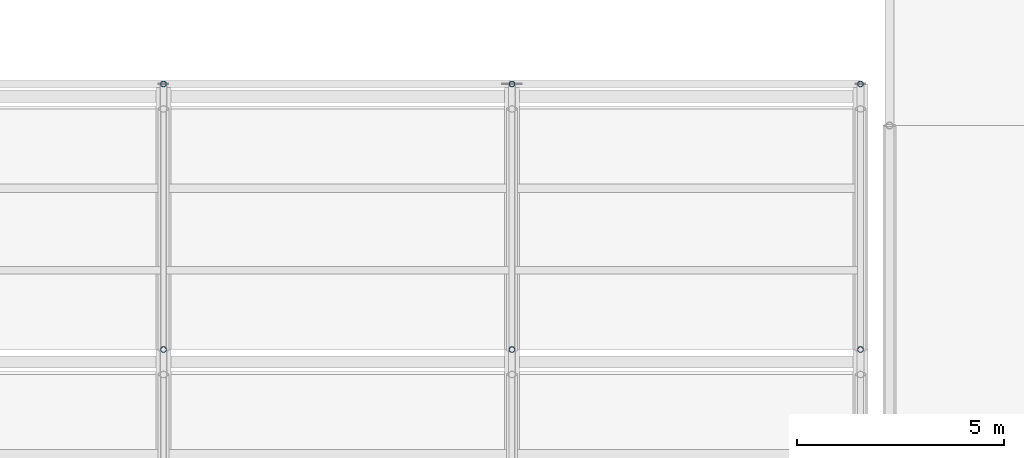
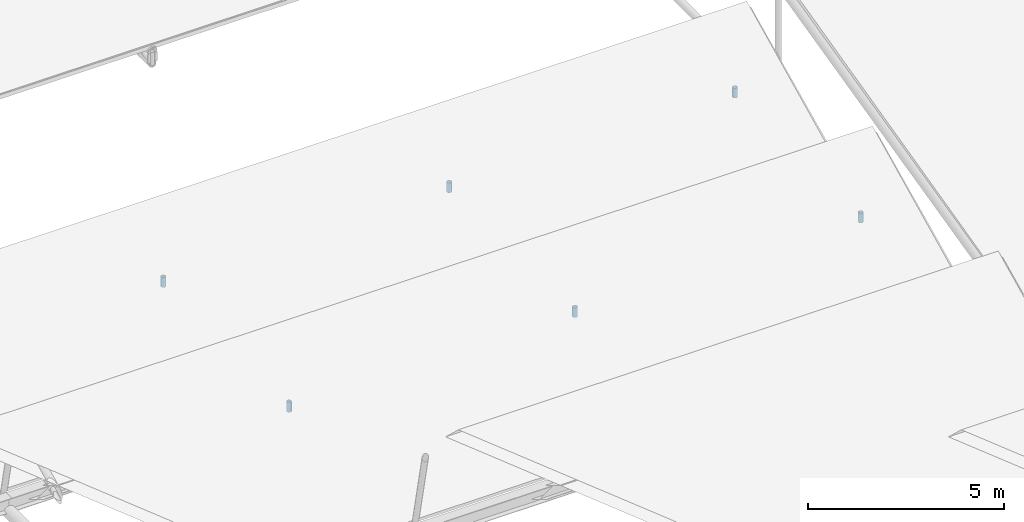
# One storey, part 139 of 194: 6 members.
"""IFC4 building model written with IfcOpenShell, lengths in metres."""

from ifc_helpers import new_model, si_unit, direction, frame, origin, origin_2d, place, context, subcontext, project, spatial, hollow_circle, extrude, material, material_profile, profile_set, type_object, element, save


model = new_model("IFC4")

# Units and contexts
model_context = context("Model", 3, precision=1e-05, world=origin(), true_north=direction((0.0, 1.0)))
body_context = subcontext(model_context, "Body", "Model", "MODEL_VIEW")
ifc_project = project(units=[si_unit("LENGTHUNIT", "METRE"), si_unit("AREAUNIT", "SQUARE_METRE"), si_unit("VOLUMEUNIT", "CUBIC_METRE"), si_unit("PLANEANGLEUNIT", "RADIAN"), si_unit("MASSUNIT", "GRAM", prefix="KILO")], contexts=[model_context])

# Site, building, storey
site_placement = place(None, origin())
site = spatial("IfcSite", under=ifc_project, at=site_placement, CompositionType="ELEMENT")
building_placement = place(site_placement, origin())
building = spatial("IfcBuilding", under=site, at=building_placement, Name="Kazenagashi Tramway Depot", CompositionType="ELEMENT")
storey_placement = place(building_placement, frame((0.0, 0.0, 23.7)))
storey = spatial("IfcBuildingStorey", under=building, at=storey_placement, Name="ROOF", CompositionType="ELEMENT", Elevation=23.7)

# Members
ifc_material = material(Name="Steel STK490", Category="steel")
ifc_material_profile = material_profile(ifc_material, hollow_circle(Radius=0.0699, WallThickness=0.0066, at=origin_2d()), Name="CHS-139.8x6.6")
ifc_profile_set = profile_set([ifc_material_profile], Name="Steel STK490")
member_type = type_object("IfcMemberType", Name="TS-02", PredefinedType="STRUT", material=ifc_profile_set)
for number, where, z_axis, x_axis, name in (
    (1, (128.8, 48.5, -8.9), (0.0, 0.0, 1.0), (1.0, 0.0, 0.0), "Roof Truss TS-02 MEM-1461"),
    (2, (128.8, 54.9, -8.9), (0.0, 0.0, 1.0), (1.0, 0.0, 0.0), "Roof Truss TS-02 MEM-1463"),
    (3, (137.2, 48.5, -8.9), (0.0, 0.0, 1.0), (1.0, 0.0, 0.0), "Roof Truss TS-02 MEM-1490"),
    (4, (137.2, 54.9, -8.9), (0.0, 0.0, 1.0), (1.0, 0.0, 0.0), "Roof Truss TS-02 MEM-1492"),
    (5, (145.6, 48.5, -8.9), (0.0, 0.0, 1.0), (1.0, 0.0, 0.0), "Roof Truss TS-02 MEM-1519"),
    (6, (145.6, 54.9, -8.9), (0.0, 0.0, 1.0), (1.0, 0.0, 0.0), "Roof Truss TS-02 MEM-1521"),
):
    element("IfcMember", number, at=place(storey_placement, frame(where, z_axis=z_axis, x_axis=x_axis)), inside=storey, type_object=member_type, Name=name, PredefinedType="STRUT", context=body_context, shape_type="SweptSolid", body=[
        extrude(hollow_circle(Radius=0.0699, WallThickness=0.0066, at=origin_2d()), origin(), (0.0, 0.0, 1.0), 0.3),
    ])

save(model, "model.ifc")
